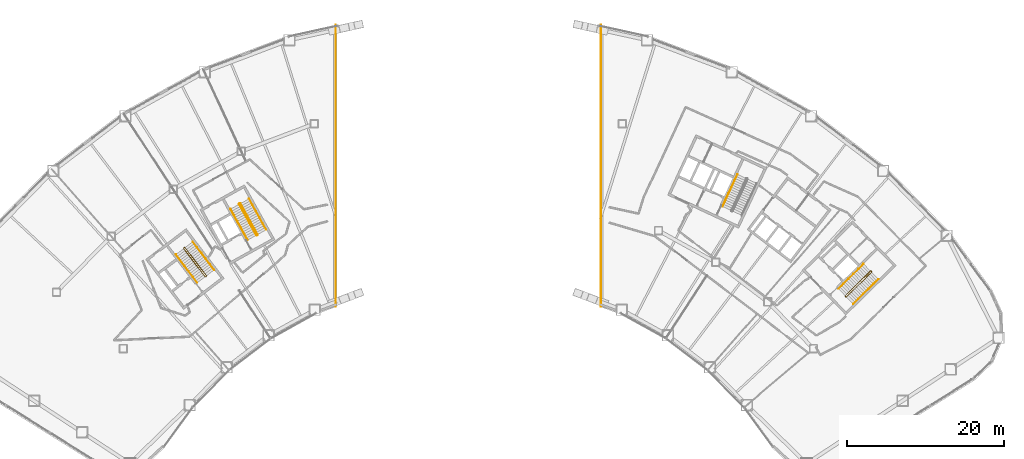
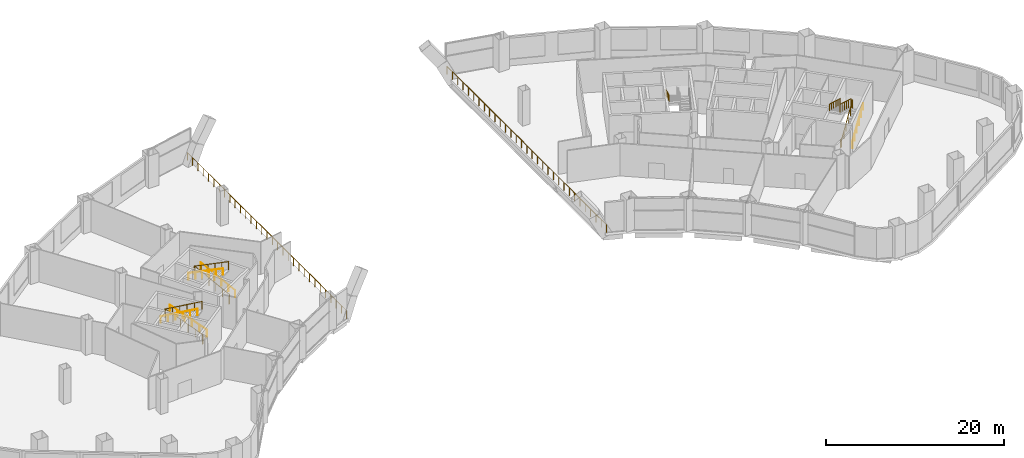
# One storey, part 19 of 20: 12 railings.
"""IFC4 building model written with IfcOpenShell, lengths in metres."""

from ifc_helpers import new_model, si_unit, direction, frame, origin, origin_2d, place, context, subcontext, project, spatial, circle, extrude, material, type_object, element, save


model = new_model("IFC4")

# Units and contexts
model_context = context("Model", 3, precision=1e-05, world=origin(), true_north=direction((0.0, 1.0)))
body_context = subcontext(model_context, "Body", "Model", "MODEL_VIEW")
ifc_project = project(units=[si_unit("LENGTHUNIT", "METRE"), si_unit("AREAUNIT", "SQUARE_METRE"), si_unit("VOLUMEUNIT", "CUBIC_METRE"), si_unit("PLANEANGLEUNIT", "RADIAN"), si_unit("MASSUNIT", "GRAM", prefix="KILO")], contexts=[model_context])

# Site, building, storey
site_placement = place(None, origin())
site = spatial("IfcSite", under=ifc_project, at=site_placement, CompositionType="ELEMENT")
building_placement = place(site_placement, origin())
building = spatial("IfcBuilding", under=site, at=building_placement, Name="Tuul Gate Civic Tower", CompositionType="ELEMENT")
storey_placement = place(building_placement, frame((0.0, 0.0, 12.300048828125)))
storey = spatial("IfcBuildingStorey", under=building, at=storey_placement, Name="Level 02", CompositionType="ELEMENT", Elevation=12.300048828125)

# Railings
ifc_material_1 = material(Name="Painted steel", Category="steel")
railing_type_1 = type_object("IfcRailingType", Name="Stair guard", PredefinedType="GUARDRAIL", material=ifc_material_1)
railing_1_placement = place(storey_placement, frame((-33.382080078125, -13.515380859375, 0.0)))
element("IfcRailing", 1, at=railing_1_placement, inside=storey, type_object=railing_type_1, Name="Level 02 ST-1 stair guard 1", PredefinedType="GUARDRAIL", context=body_context, shape_type="SweptSolid", body=[
    extrude(circle(Radius=0.02392578125, at=origin_2d()), frame((0.0, 0.0, 1.076171875), z_axis=(-0.795879841968, -0.605454603706, 0.0), x_axis=(0.605454603706, -0.795879841968, 0.0)), (0.0, 0.0, 1.0), 0.10009765625),
    extrude(circle(Radius=0.02392578125, at=origin_2d()), frame((-0.07958984375, -0.060546875, 1.076171875), z_axis=(0.408991890351, 0.599481263939, 0.688002796371), x_axis=(-0.826063974707, 0.563576356576, 0.0)), (0.0, 0.0, 1.0), 0.2177734375),
    extrude(circle(Radius=0.02392578125, at=origin_2d()), frame((0.009521484375, 0.070068359375, 1.22607421875), z_axis=(-0.541802573537, 0.711646640476, 0.44722369169), x_axis=(-0.795649622695, -0.605757111312, 0.0)), (0.0, 0.0, 1.0), 5.031005859375),
    extrude(circle(Radius=0.02392578125, at=origin_2d()), frame((-2.71630859375, 3.650390625, 3.47607421875), z_axis=(-0.990893089246, 0.134650977284, 0.0), x_axis=(-0.134650977284, -0.990893089246, 0.0)), (0.0, 0.0, 1.0), 0.07080078125),
    extrude(circle(Radius=0.02392578125, at=origin_2d()), frame((-2.786376953125, 3.659912109375, 3.47607421875), z_axis=(-0.795879841968, -0.605454603706, 0.0), x_axis=(0.605454603706, -0.795879841968, 0.0)), (0.0, 0.0, 1.0), 0.10009765625),
    extrude(circle(Radius=0.02392578125, at=origin_2d()), frame((-2.865966796875, 3.599365234375, 3.47607421875), z_axis=(-0.057370624079, -0.422188951554, 0.904690610473), x_axis=(0.990893089246, -0.134650977284, 0.0)), (0.0, 0.0, 1.0), 0.166015625),
    extrude(circle(Radius=0.02392578125, at=origin_2d()), frame((-2.87548828125, 3.529296875, 3.6259765625), z_axis=(0.541802573537, -0.711646640476, 0.44722369169), x_axis=(0.795649622695, 0.605757111312, 0.0)), (0.0, 0.0, 1.0), 5.031005859375),
    extrude(circle(Radius=0.02099609375, at=origin_2d()), origin(), (0.0, 0.0, 1.0), 1.052001953125),
    extrude(circle(Radius=0.02099609375, at=origin_2d()), frame((-0.07958984375, -0.060546875, 0.0)), (0.0, 0.0, 1.0), 1.052001953125),
    extrude(circle(Radius=0.02099609375, at=origin_2d()), frame((0.009521484375, 0.070068359375, 0.14990234375)), (0.0, 0.0, 1.0), 1.052001953125),
    extrude(circle(Radius=0.02099609375, at=origin_2d()), frame((-0.53564453125, 0.7861328125, 0.599853515625)), (0.0, 0.0, 1.0), 1.052001953125),
    extrude(circle(Radius=0.02099609375, at=origin_2d()), frame((-1.080810546875, 1.502197265625, 1.0498046875)), (0.0, 0.0, 1.0), 1.052001953125),
    extrude(circle(Radius=0.02099609375, at=origin_2d()), frame((-1.6259765625, 2.21826171875, 1.5)), (0.0, 0.0, 1.0), 1.052001953125),
    extrude(circle(Radius=0.02099609375, at=origin_2d()), frame((-2.171142578125, 2.934326171875, 1.949951171875)), (0.0, 0.0, 1.0), 1.052001953125),
    extrude(circle(Radius=0.02099609375, at=origin_2d()), frame((-2.71630859375, 3.650390625, 2.39990234375)), (0.0, 0.0, 1.0), 1.052001953125),
    extrude(circle(Radius=0.02099609375, at=origin_2d()), frame((-2.786376953125, 3.659912109375, 2.39990234375)), (0.0, 0.0, 1.0), 1.052001953125),
    extrude(circle(Radius=0.02099609375, at=origin_2d()), frame((-2.865966796875, 3.599365234375, 2.39990234375)), (0.0, 0.0, 1.0), 1.052001953125),
    extrude(circle(Radius=0.02099609375, at=origin_2d()), frame((-2.87548828125, 3.529296875, 2.550048828125)), (0.0, 0.0, 1.0), 1.052001953125),
    extrude(circle(Radius=0.02099609375, at=origin_2d()), frame((-2.330322265625, 2.813232421875, 3.0)), (0.0, 0.0, 1.0), 1.052001953125),
    extrude(circle(Radius=0.02099609375, at=origin_2d()), frame((-1.78515625, 2.09716796875, 3.449951171875)), (0.0, 0.0, 1.0), 1.052001953125),
    extrude(circle(Radius=0.02099609375, at=origin_2d()), frame((-1.239990234375, 1.381103515625, 3.900146484375)), (0.0, 0.0, 1.0), 1.052001953125),
    extrude(circle(Radius=0.02099609375, at=origin_2d()), frame((-0.69482421875, 0.6650390625, 4.35009765625)), (0.0, 0.0, 1.0), 1.052001953125),
    extrude(circle(Radius=0.02099609375, at=origin_2d()), frame((-0.149658203125, -0.051025390625, 4.800048828125)), (0.0, 0.0, 1.0), 1.052001953125),
])
railing_2_placement = place(storey_placement, frame((-26.857666015625, -8.247314453125, 0.0)))
element("IfcRailing", 2, at=railing_2_placement, inside=storey, type_object=railing_type_1, Name="Level 02 ST-2 stair guard 1", PredefinedType="GUARDRAIL", context=body_context, shape_type="SweptSolid", body=[
    extrude(circle(Radius=0.02392578125, at=origin_2d()), frame((0.0, 0.0, 1.076171875), z_axis=(-0.874616555828, -0.48481530532, 0.0), x_axis=(0.48481530532, -0.874616555828, 0.0)), (0.0, 0.0, 1.0), 0.10009765625),
    extrude(circle(Radius=0.02392578125, at=origin_2d()), frame((-0.087646484375, -0.048583984375, 1.076171875), z_axis=(0.49081399482, 0.534516610797, 0.688036056665), x_axis=(-0.736576986774, 0.676353711126, 0.0)), (0.0, 0.0, 1.0), 0.2177734375),
    extrude(circle(Radius=0.02392578125, at=origin_2d()), frame((0.019287109375, 0.06787109375, 1.22607421875), z_axis=(-0.433570456934, 0.782319295656, 0.447205968786), x_axis=(-0.874655833576, -0.484744440702, 0.0)), (0.0, 0.0, 1.0), 5.03125),
    extrude(circle(Radius=0.02392578125, at=origin_2d()), frame((-2.162109375, 4.00390625, 3.47607421875), z_axis=(-0.961914682459, 0.273349855807, 0.0), x_axis=(-0.273349855807, -0.961914682459, 0.0)), (0.0, 0.0, 1.0), 0.070556640625),
    extrude(circle(Radius=0.02392578125, at=origin_2d()), frame((-2.22998046875, 4.023193359375, 3.47607421875), z_axis=(-0.875078096442, -0.48398174049, 0.0), x_axis=(0.48398174049, -0.875078096442, 0.0)), (0.0, 0.0, 1.0), 0.099853515625),
    extrude(circle(Radius=0.02392578125, at=origin_2d()), frame((-2.3173828125, 3.974853515625, 3.47607421875), z_axis=(-0.11763866363, -0.41026483941, 0.904347226657), x_axis=(0.961263487578, -0.275631107549, 0.0)), (0.0, 0.0, 1.0), 0.166015625),
    extrude(circle(Radius=0.02392578125, at=origin_2d()), frame((-2.3369140625, 3.90673828125, 3.6259765625), z_axis=(0.433586916566, -0.782300468042, 0.447222946062), x_axis=(0.874643084613, 0.48476744377, 0.0)), (0.0, 0.0, 1.0), 5.031005859375),
    extrude(circle(Radius=0.02099609375, at=origin_2d()), origin(), (0.0, 0.0, 1.0), 1.052001953125),
    extrude(circle(Radius=0.02099609375, at=origin_2d()), frame((-0.087646484375, -0.048583984375, 0.0)), (0.0, 0.0, 1.0), 1.052001953125),
    extrude(circle(Radius=0.02099609375, at=origin_2d()), frame((0.019287109375, 0.06787109375, 0.14990234375)), (0.0, 0.0, 1.0), 1.052001953125),
    extrude(circle(Radius=0.02099609375, at=origin_2d()), frame((-0.4169921875, 0.85498046875, 0.599853515625)), (0.0, 0.0, 1.0), 1.052001953125),
    extrude(circle(Radius=0.02099609375, at=origin_2d()), frame((-0.853271484375, 1.642333984375, 1.0498046875)), (0.0, 0.0, 1.0), 1.052001953125),
    extrude(circle(Radius=0.02099609375, at=origin_2d()), frame((-1.28955078125, 2.429443359375, 1.5)), (0.0, 0.0, 1.0), 1.052001953125),
    extrude(circle(Radius=0.02099609375, at=origin_2d()), frame((-1.725830078125, 3.216796875, 1.949951171875)), (0.0, 0.0, 1.0), 1.052001953125),
    extrude(circle(Radius=0.02099609375, at=origin_2d()), frame((-2.162109375, 4.00390625, 2.39990234375)), (0.0, 0.0, 1.0), 1.052001953125),
    extrude(circle(Radius=0.02099609375, at=origin_2d()), frame((-2.22998046875, 4.023193359375, 2.39990234375)), (0.0, 0.0, 1.0), 1.052001953125),
    extrude(circle(Radius=0.02099609375, at=origin_2d()), frame((-2.3173828125, 3.974853515625, 2.39990234375)), (0.0, 0.0, 1.0), 1.052001953125),
    extrude(circle(Radius=0.02099609375, at=origin_2d()), frame((-2.3369140625, 3.90673828125, 2.550048828125)), (0.0, 0.0, 1.0), 1.052001953125),
    extrude(circle(Radius=0.02099609375, at=origin_2d()), frame((-1.900634765625, 3.11962890625, 3.0)), (0.0, 0.0, 1.0), 1.052001953125),
    extrude(circle(Radius=0.02099609375, at=origin_2d()), frame((-1.46435546875, 2.33251953125, 3.449951171875)), (0.0, 0.0, 1.0), 1.052001953125),
    extrude(circle(Radius=0.02099609375, at=origin_2d()), frame((-1.028076171875, 1.545166015625, 3.900146484375)), (0.0, 0.0, 1.0), 1.052001953125),
    extrude(circle(Radius=0.02099609375, at=origin_2d()), frame((-0.591796875, 0.758056640625, 4.35009765625)), (0.0, 0.0, 1.0), 1.052001953125),
    extrude(circle(Radius=0.02099609375, at=origin_2d()), frame((-0.155517578125, -0.029052734375, 4.800048828125)), (0.0, 0.0, 1.0), 1.052001953125),
])
railing_3_placement = place(storey_placement, frame((48.10546875, -16.134765625, 0.0)))
element("IfcRailing", 3, at=railing_3_placement, inside=storey, type_object=railing_type_1, Name="Level 02 ST-3 stair guard 1", PredefinedType="GUARDRAIL", context=body_context, shape_type="SweptSolid", body=[
    extrude(circle(Radius=0.02392578125, at=origin_2d()), frame((0.0, 0.0, 1.076171875), z_axis=(-0.698506948293, 0.715603272202, 0.0), x_axis=(-0.715603272202, -0.698506948293, 0.0)), (0.0, 0.0, 1.0), 0.099853515625),
    extrude(circle(Radius=0.02392578125, at=origin_2d()), frame((-0.06982421875, 0.071533203125, 1.076171875), z_axis=(0.645446321009, -0.331687692741, 0.688027849131), x_axis=(0.457068866502, 0.889431307788, 0.0)), (0.0, 0.0, 1.0), 0.2177734375),
    extrude(circle(Radius=0.02392578125, at=origin_2d()), frame((0.07080078125, -0.000732421875, 1.22607421875), z_axis=(0.638734809626, 0.626118304991, 0.447206564272), x_axis=(-0.700018794508, 0.714124420066, 0.0)), (0.0, 0.0, 1.0), 5.03125),
    extrude(circle(Radius=0.02392578125, at=origin_2d()), frame((3.284423828125, 3.1494140625, 3.47607421875), z_axis=(0.010344274102, 0.999946496565, 0.0), x_axis=(-0.999946496565, 0.010344274102, 0.0)), (0.0, 0.0, 1.0), 0.07080078125),
    extrude(circle(Radius=0.02392578125, at=origin_2d()), frame((3.28515625, 3.22021484375, 3.47607421875), z_axis=(-0.700974368541, 0.713186465554, 0.0), x_axis=(-0.713186465554, -0.700974368541, 0.0)), (0.0, 0.0, 1.0), 0.099853515625),
    extrude(circle(Radius=0.02392578125, at=origin_2d()), frame((3.215087890625, 3.29150390625, 3.47607421875), z_axis=(-0.426501027327, 0.004412079593, 0.904476316574), x_axis=(-0.010344274102, -0.999946496565, 0.0)), (0.0, 0.0, 1.0), 0.166015625),
    extrude(circle(Radius=0.02392578125, at=origin_2d()), frame((3.144287109375, 3.292236328125, 3.6259765625), z_axis=(-0.638734809626, -0.626118304991, 0.447206564272), x_axis=(0.700018794508, -0.714124420066, 0.0)), (0.0, 0.0, 1.0), 5.03125),
    extrude(circle(Radius=0.02099609375, at=origin_2d()), origin(), (0.0, 0.0, 1.0), 1.052001953125),
    extrude(circle(Radius=0.02099609375, at=origin_2d()), frame((-0.06982421875, 0.071533203125, 0.0)), (0.0, 0.0, 1.0), 1.052001953125),
    extrude(circle(Radius=0.02099609375, at=origin_2d()), frame((0.07080078125, -0.000732421875, 0.14990234375)), (0.0, 0.0, 1.0), 1.052001953125),
    extrude(circle(Radius=0.02099609375, at=origin_2d()), frame((0.713623046875, 0.62939453125, 0.599853515625)), (0.0, 0.0, 1.0), 1.052001953125),
    extrude(circle(Radius=0.02099609375, at=origin_2d()), frame((1.356201171875, 1.25927734375, 1.0498046875)), (0.0, 0.0, 1.0), 1.052001953125),
    extrude(circle(Radius=0.02099609375, at=origin_2d()), frame((1.9990234375, 1.889404296875, 1.5)), (0.0, 0.0, 1.0), 1.052001953125),
    extrude(circle(Radius=0.02099609375, at=origin_2d()), frame((2.6416015625, 2.519287109375, 1.949951171875)), (0.0, 0.0, 1.0), 1.052001953125),
    extrude(circle(Radius=0.02099609375, at=origin_2d()), frame((3.284423828125, 3.1494140625, 2.39990234375)), (0.0, 0.0, 1.0), 1.052001953125),
    extrude(circle(Radius=0.02099609375, at=origin_2d()), frame((3.28515625, 3.22021484375, 2.39990234375)), (0.0, 0.0, 1.0), 1.052001953125),
    extrude(circle(Radius=0.02099609375, at=origin_2d()), frame((3.215087890625, 3.29150390625, 2.39990234375)), (0.0, 0.0, 1.0), 1.052001953125),
    extrude(circle(Radius=0.02099609375, at=origin_2d()), frame((3.144287109375, 3.292236328125, 2.550048828125)), (0.0, 0.0, 1.0), 1.052001953125),
    extrude(circle(Radius=0.02099609375, at=origin_2d()), frame((2.50146484375, 2.662109375, 3.0)), (0.0, 0.0, 1.0), 1.052001953125),
    extrude(circle(Radius=0.02099609375, at=origin_2d()), frame((1.85888671875, 2.0322265625, 3.449951171875)), (0.0, 0.0, 1.0), 1.052001953125),
    extrude(circle(Radius=0.02099609375, at=origin_2d()), frame((1.216064453125, 1.402099609375, 3.900146484375)), (0.0, 0.0, 1.0), 1.052001953125),
    extrude(circle(Radius=0.02099609375, at=origin_2d()), frame((0.573486328125, 0.772216796875, 4.35009765625)), (0.0, 0.0, 1.0), 1.052001953125),
    extrude(circle(Radius=0.02099609375, at=origin_2d()), frame((-0.0693359375, 0.14208984375, 4.800048828125)), (0.0, 0.0, 1.0), 1.052001953125),
])
ifc_material_2 = material(Name="Painted steel", Category="steel")
railing_type_2 = type_object("IfcRailingType", Name="Stair handrail", PredefinedType="HANDRAIL", material=ifc_material_2)
railing_4_placement = place(storey_placement, frame((-32.3779296875, -12.688232421875, 0.14990234375)))
element("IfcRailing", 4, at=railing_4_placement, inside=storey, type_object=railing_type_2, Name="Level 02 ST-1 stair handrail 1", PredefinedType="HANDRAIL", context=body_context, shape_type="SweptSolid", body=[
    extrude(circle(Radius=0.02392578125, at=origin_2d()), frame((0.0, 0.0, 0.8759765625), z_axis=(-0.541818143522, 0.711651880073, 0.447196490301), x_axis=(-0.795643382243, -0.605765307931, 0.0)), (0.0, 0.0, 1.0), 5.03125),
    extrude(circle(Radius=0.02099609375, at=origin_2d()), origin(), (0.0, 0.0, 1.0), 0.851806640625),
    extrude(circle(Radius=0.02099609375, at=origin_2d()), frame((-0.545166015625, 0.716064453125, 0.449951171875)), (0.0, 0.0, 1.0), 0.851806640625),
    extrude(circle(Radius=0.02099609375, at=origin_2d()), frame((-1.09033203125, 1.43212890625, 0.89990234375)), (0.0, 0.0, 1.0), 0.851806640625),
    extrude(circle(Radius=0.02099609375, at=origin_2d()), frame((-1.6357421875, 2.1484375, 1.35009765625)), (0.0, 0.0, 1.0), 0.851806640625),
    extrude(circle(Radius=0.02099609375, at=origin_2d()), frame((-2.180908203125, 2.864501953125, 1.800048828125)), (0.0, 0.0, 1.0), 0.851806640625),
    extrude(circle(Radius=0.02099609375, at=origin_2d()), frame((-2.72607421875, 3.58056640625, 2.25)), (0.0, 0.0, 1.0), 0.851806640625),
])
railing_5_placement = place(storey_placement, frame((-37.252197265625, -10.743408203125, 2.550048828125)))
element("IfcRailing", 5, at=railing_5_placement, inside=storey, type_object=railing_type_2, Name="Level 02 ST-1 stair handrail 2", PredefinedType="HANDRAIL", context=body_context, shape_type="SweptSolid", body=[
    extrude(circle(Radius=0.02392578125, at=origin_2d()), frame((0.0, 0.0, 0.8759765625), z_axis=(0.541836853995, -0.711627929772, 0.447211933227), x_axis=(0.795623473507, 0.6057914562, 0.0)), (0.0, 0.0, 1.0), 5.03125),
    extrude(circle(Radius=0.02099609375, at=origin_2d()), origin(), (0.0, 0.0, 1.0), 0.851806640625),
    extrude(circle(Radius=0.02099609375, at=origin_2d()), frame((0.545166015625, -0.716064453125, 0.449951171875)), (0.0, 0.0, 1.0), 0.851806640625),
    extrude(circle(Radius=0.02099609375, at=origin_2d()), frame((1.09033203125, -1.43212890625, 0.89990234375)), (0.0, 0.0, 1.0), 0.851806640625),
    extrude(circle(Radius=0.02099609375, at=origin_2d()), frame((1.6357421875, -2.148193359375, 1.35009765625)), (0.0, 0.0, 1.0), 0.851806640625),
    extrude(circle(Radius=0.02099609375, at=origin_2d()), frame((2.180908203125, -2.8642578125, 1.800048828125)), (0.0, 0.0, 1.0), 0.851806640625),
    extrude(circle(Radius=0.02099609375, at=origin_2d()), frame((2.72607421875, -3.580322265625, 2.25)), (0.0, 0.0, 1.0), 0.851806640625),
])
railing_6_placement = place(storey_placement, frame((-25.744873046875, -7.573486328125, 0.14990234375)))
element("IfcRailing", 6, at=railing_6_placement, inside=storey, type_object=railing_type_2, Name="Level 02 ST-2 stair handrail 1", PredefinedType="HANDRAIL", context=body_context, shape_type="SweptSolid", body=[
    extrude(circle(Radius=0.02392578125, at=origin_2d()), frame((0.0, 0.0, 0.8759765625), z_axis=(-0.433570456934, 0.782319295656, 0.447205968786), x_axis=(-0.874655833576, -0.484744440702, 0.0)), (0.0, 0.0, 1.0), 5.03125),
    extrude(circle(Radius=0.02099609375, at=origin_2d()), origin(), (0.0, 0.0, 1.0), 0.851806640625),
    extrude(circle(Radius=0.02099609375, at=origin_2d()), frame((-0.436279296875, 0.787109375, 0.449951171875)), (0.0, 0.0, 1.0), 0.851806640625),
    extrude(circle(Radius=0.02099609375, at=origin_2d()), frame((-0.87255859375, 1.574462890625, 0.89990234375)), (0.0, 0.0, 1.0), 0.851806640625),
    extrude(circle(Radius=0.02099609375, at=origin_2d()), frame((-1.308837890625, 2.361572265625, 1.35009765625)), (0.0, 0.0, 1.0), 0.851806640625),
    extrude(circle(Radius=0.02099609375, at=origin_2d()), frame((-1.7451171875, 3.14892578125, 1.800048828125)), (0.0, 0.0, 1.0), 0.851806640625),
    extrude(circle(Radius=0.02099609375, at=origin_2d()), frame((-2.181396484375, 3.93603515625, 2.25)), (0.0, 0.0, 1.0), 0.851806640625),
])
railing_7_placement = place(storey_placement, frame((-30.287841796875, -4.946533203125, 2.550048828125)))
element("IfcRailing", 7, at=railing_7_placement, inside=storey, type_object=railing_type_2, Name="Level 02 ST-2 stair handrail 2", PredefinedType="HANDRAIL", context=body_context, shape_type="SweptSolid", body=[
    extrude(circle(Radius=0.02392578125, at=origin_2d()), frame((0.0, 0.0, 0.8759765625), z_axis=(0.433586916566, -0.782300468042, 0.447222946062), x_axis=(0.874643084613, 0.48476744377, 0.0)), (0.0, 0.0, 1.0), 5.031005859375),
    extrude(circle(Radius=0.02099609375, at=origin_2d()), origin(), (0.0, 0.0, 1.0), 0.851806640625),
    extrude(circle(Radius=0.02099609375, at=origin_2d()), frame((0.436279296875, -0.787109375, 0.449951171875)), (0.0, 0.0, 1.0), 0.851806640625),
    extrude(circle(Radius=0.02099609375, at=origin_2d()), frame((0.87255859375, -1.57421875, 0.89990234375)), (0.0, 0.0, 1.0), 0.851806640625),
    extrude(circle(Radius=0.02099609375, at=origin_2d()), frame((1.308837890625, -2.361572265625, 1.35009765625)), (0.0, 0.0, 1.0), 0.851806640625),
    extrude(circle(Radius=0.02099609375, at=origin_2d()), frame((1.7451171875, -3.148681640625, 1.800048828125)), (0.0, 0.0, 1.0), 0.851806640625),
    extrude(circle(Radius=0.02099609375, at=origin_2d()), frame((2.181396484375, -3.935791015625, 2.25)), (0.0, 0.0, 1.0), 0.851806640625),
])
railing_8_placement = place(storey_placement, frame((49.05126953125, -17.028076171875, 0.14990234375)))
element("IfcRailing", 8, at=railing_8_placement, inside=storey, type_object=railing_type_2, Name="Level 02 ST-3 stair handrail 1", PredefinedType="HANDRAIL", context=body_context, shape_type="SweptSolid", body=[
    extrude(circle(Radius=0.02392578125, at=origin_2d()), frame((0.0, 0.0, 0.8759765625), z_axis=(0.638734809626, 0.626118304991, 0.447206564272), x_axis=(-0.700018794508, 0.714124420066, 0.0)), (0.0, 0.0, 1.0), 5.03125),
    extrude(circle(Radius=0.02099609375, at=origin_2d()), origin(), (0.0, 0.0, 1.0), 0.851806640625),
    extrude(circle(Radius=0.02099609375, at=origin_2d()), frame((0.642822265625, 0.630126953125, 0.449951171875)), (0.0, 0.0, 1.0), 0.851806640625),
    extrude(circle(Radius=0.02099609375, at=origin_2d()), frame((1.285400390625, 1.260009765625, 0.89990234375)), (0.0, 0.0, 1.0), 0.851806640625),
    extrude(circle(Radius=0.02099609375, at=origin_2d()), frame((1.92822265625, 1.89013671875, 1.35009765625)), (0.0, 0.0, 1.0), 0.851806640625),
    extrude(circle(Radius=0.02099609375, at=origin_2d()), frame((2.57080078125, 2.52001953125, 1.800048828125)), (0.0, 0.0, 1.0), 0.851806640625),
    extrude(circle(Radius=0.02099609375, at=origin_2d()), frame((3.213623046875, 3.150146484375, 2.25)), (0.0, 0.0, 1.0), 0.851806640625),
])
railing_9_placement = place(storey_placement, frame((50.374755859375, -11.949951171875, 2.550048828125)))
element("IfcRailing", 9, at=railing_9_placement, inside=storey, type_object=railing_type_2, Name="Level 02 ST-3 stair handrail 2", PredefinedType="HANDRAIL", context=body_context, shape_type="SweptSolid", body=[
    extrude(circle(Radius=0.02392578125, at=origin_2d()), frame((0.0, 0.0, 0.8759765625), z_axis=(-0.638754216056, -0.626088801607, 0.447220151574), x_axis=(0.699991125633, -0.714151541366, 0.0)), (0.0, 0.0, 1.0), 5.031005859375),
    extrude(circle(Radius=0.02099609375, at=origin_2d()), origin(), (0.0, 0.0, 1.0), 0.851806640625),
    extrude(circle(Radius=0.02099609375, at=origin_2d()), frame((-0.642822265625, -0.6298828125, 0.449951171875)), (0.0, 0.0, 1.0), 0.851806640625),
    extrude(circle(Radius=0.02099609375, at=origin_2d()), frame((-1.285400390625, -1.260009765625, 0.89990234375)), (0.0, 0.0, 1.0), 0.851806640625),
    extrude(circle(Radius=0.02099609375, at=origin_2d()), frame((-1.92822265625, -1.889892578125, 1.35009765625)), (0.0, 0.0, 1.0), 0.851806640625),
    extrude(circle(Radius=0.02099609375, at=origin_2d()), frame((-2.57080078125, -2.52001953125, 1.800048828125)), (0.0, 0.0, 1.0), 0.851806640625),
    extrude(circle(Radius=0.02099609375, at=origin_2d()), frame((-3.213623046875, -3.14990234375, 2.25)), (0.0, 0.0, 1.0), 0.851806640625),
])
railing_10_placement = place(storey_placement, frame((34.299560546875, -0.523193359375, 2.550048828125)))
element("IfcRailing", 10, at=railing_10_placement, inside=storey, type_object=railing_type_2, Name="Level 02 ST-4 stair handrail 2", PredefinedType="HANDRAIL", context=body_context, shape_type="SweptSolid", body=[
    extrude(circle(Radius=0.02392578125, at=origin_2d()), frame((0.0, 0.0, 0.8759765625), z_axis=(-0.377973126322, -0.810635649661, 0.447220481728), x_axis=(0.906321697749, -0.42258842884, 0.0)), (0.0, 0.0, 1.0), 5.031005859375),
    extrude(circle(Radius=0.02099609375, at=origin_2d()), origin(), (0.0, 0.0, 1.0), 0.851806640625),
    extrude(circle(Radius=0.02099609375, at=origin_2d()), frame((-0.38037109375, -0.815673828125, 0.449951171875)), (0.0, 0.0, 1.0), 0.851806640625),
    extrude(circle(Radius=0.02099609375, at=origin_2d()), frame((-0.7607421875, -1.63134765625, 0.89990234375)), (0.0, 0.0, 1.0), 0.851806640625),
    extrude(circle(Radius=0.02099609375, at=origin_2d()), frame((-1.140869140625, -2.447021484375, 1.35009765625)), (0.0, 0.0, 1.0), 0.851806640625),
    extrude(circle(Radius=0.02099609375, at=origin_2d()), frame((-1.521240234375, -3.2626953125, 1.800048828125)), (0.0, 0.0, 1.0), 0.851806640625),
    extrude(circle(Radius=0.02099609375, at=origin_2d()), frame((-1.901611328125, -4.078369140625, 2.25)), (0.0, 0.0, 1.0), 0.851806640625),
])
ifc_material_3 = material(Name="Stainless steel", Category="steel")
railing_type_3 = type_object("IfcRailingType", Name="Terrace guard", PredefinedType="GUARDRAIL", material=ifc_material_3)
railing_11_placement = place(storey_placement, frame((-16.887939453125, -17.35791015625, 0.0)))
element("IfcRailing", 11, at=railing_11_placement, inside=storey, type_object=railing_type_3, Name="Guard", PredefinedType="GUARDRAIL", context=body_context, shape_type="SweptSolid", body=[
    extrude(circle(Radius=0.02392578125, at=origin_2d()), frame((0.0, 0.0, 1.076171875), z_axis=(0.0, 1.0, 0.0), x_axis=(-1.0, 0.0, 0.0)), (0.0, 0.0, 1.0), 35.90087890625),
    extrude(circle(Radius=0.02099609375, at=origin_2d()), origin(), (0.0, 0.0, 1.0), 1.052001953125),
    extrude(circle(Radius=0.02099609375, at=origin_2d()), frame((0.0, 1.19677734375, 0.0)), (0.0, 0.0, 1.0), 1.052001953125),
    extrude(circle(Radius=0.02099609375, at=origin_2d()), frame((0.0, 2.393310546875, 0.0)), (0.0, 0.0, 1.0), 1.052001953125),
    extrude(circle(Radius=0.02099609375, at=origin_2d()), frame((0.0, 3.590087890625, 0.0)), (0.0, 0.0, 1.0), 1.052001953125),
    extrude(circle(Radius=0.02099609375, at=origin_2d()), frame((0.0, 4.786865234375, 0.0)), (0.0, 0.0, 1.0), 1.052001953125),
    extrude(circle(Radius=0.02099609375, at=origin_2d()), frame((0.0, 5.9833984375, 0.0)), (0.0, 0.0, 1.0), 1.052001953125),
    extrude(circle(Radius=0.02099609375, at=origin_2d()), frame((0.0, 7.18017578125, 0.0)), (0.0, 0.0, 1.0), 1.052001953125),
    extrude(circle(Radius=0.02099609375, at=origin_2d()), frame((0.0, 8.376953125, 0.0)), (0.0, 0.0, 1.0), 1.052001953125),
    extrude(circle(Radius=0.02099609375, at=origin_2d()), frame((0.0, 9.573486328125, 0.0)), (0.0, 0.0, 1.0), 1.052001953125),
    extrude(circle(Radius=0.02099609375, at=origin_2d()), frame((0.0, 10.770263671875, 0.0)), (0.0, 0.0, 1.0), 1.052001953125),
    extrude(circle(Radius=0.02099609375, at=origin_2d()), frame((0.0, 11.967041015625, 0.0)), (0.0, 0.0, 1.0), 1.052001953125),
    extrude(circle(Radius=0.02099609375, at=origin_2d()), frame((0.0, 13.16357421875, 0.0)), (0.0, 0.0, 1.0), 1.052001953125),
    extrude(circle(Radius=0.02099609375, at=origin_2d()), frame((0.0, 14.3603515625, 0.0)), (0.0, 0.0, 1.0), 1.052001953125),
    extrude(circle(Radius=0.02099609375, at=origin_2d()), frame((0.0, 15.55712890625, 0.0)), (0.0, 0.0, 1.0), 1.052001953125),
    extrude(circle(Radius=0.02099609375, at=origin_2d()), frame((0.0, 16.753662109375, 0.0)), (0.0, 0.0, 1.0), 1.052001953125),
    extrude(circle(Radius=0.02099609375, at=origin_2d()), frame((0.0, 17.950439453125, 0.0)), (0.0, 0.0, 1.0), 1.052001953125),
    extrude(circle(Radius=0.02099609375, at=origin_2d()), frame((0.0, 19.147216796875, 0.0)), (0.0, 0.0, 1.0), 1.052001953125),
    extrude(circle(Radius=0.02099609375, at=origin_2d()), frame((0.0, 20.34375, 0.0)), (0.0, 0.0, 1.0), 1.052001953125),
    extrude(circle(Radius=0.02099609375, at=origin_2d()), frame((0.0, 21.54052734375, 0.0)), (0.0, 0.0, 1.0), 1.052001953125),
    extrude(circle(Radius=0.02099609375, at=origin_2d()), frame((0.0, 22.7373046875, 0.0)), (0.0, 0.0, 1.0), 1.052001953125),
    extrude(circle(Radius=0.02099609375, at=origin_2d()), frame((0.0, 23.933837890625, 0.0)), (0.0, 0.0, 1.0), 1.052001953125),
    extrude(circle(Radius=0.02099609375, at=origin_2d()), frame((0.0, 25.130615234375, 0.0)), (0.0, 0.0, 1.0), 1.052001953125),
    extrude(circle(Radius=0.02099609375, at=origin_2d()), frame((0.0, 26.327392578125, 0.0)), (0.0, 0.0, 1.0), 1.052001953125),
    extrude(circle(Radius=0.02099609375, at=origin_2d()), frame((0.0, 27.52392578125, 0.0)), (0.0, 0.0, 1.0), 1.052001953125),
    extrude(circle(Radius=0.02099609375, at=origin_2d()), frame((0.0, 28.720703125, 0.0)), (0.0, 0.0, 1.0), 1.052001953125),
    extrude(circle(Radius=0.02099609375, at=origin_2d()), frame((0.0, 29.91748046875, 0.0)), (0.0, 0.0, 1.0), 1.052001953125),
    extrude(circle(Radius=0.02099609375, at=origin_2d()), frame((0.0, 31.114013671875, 0.0)), (0.0, 0.0, 1.0), 1.052001953125),
    extrude(circle(Radius=0.02099609375, at=origin_2d()), frame((0.0, 32.310791015625, 0.0)), (0.0, 0.0, 1.0), 1.052001953125),
    extrude(circle(Radius=0.02099609375, at=origin_2d()), frame((0.0, 33.507568359375, 0.0)), (0.0, 0.0, 1.0), 1.052001953125),
    extrude(circle(Radius=0.02099609375, at=origin_2d()), frame((0.0, 34.7041015625, 0.0)), (0.0, 0.0, 1.0), 1.052001953125),
    extrude(circle(Radius=0.02099609375, at=origin_2d()), frame((0.0, 35.90087890625, 0.0)), (0.0, 0.0, 1.0), 1.052001953125),
])
railing_12_placement = place(storey_placement, frame((16.887939453125, -17.35791015625, 0.0)))
element("IfcRailing", 12, at=railing_12_placement, inside=storey, type_object=railing_type_3, Name="Guard", PredefinedType="GUARDRAIL", context=body_context, shape_type="SweptSolid", body=[
    extrude(circle(Radius=0.02392578125, at=origin_2d()), frame((0.0, 0.0, 1.076171875), z_axis=(0.0, 1.0, 0.0), x_axis=(-1.0, 0.0, 0.0)), (0.0, 0.0, 1.0), 35.90087890625),
    extrude(circle(Radius=0.02099609375, at=origin_2d()), origin(), (0.0, 0.0, 1.0), 1.052001953125),
    extrude(circle(Radius=0.02099609375, at=origin_2d()), frame((0.0, 1.19677734375, 0.0)), (0.0, 0.0, 1.0), 1.052001953125),
    extrude(circle(Radius=0.02099609375, at=origin_2d()), frame((0.0, 2.393310546875, 0.0)), (0.0, 0.0, 1.0), 1.052001953125),
    extrude(circle(Radius=0.02099609375, at=origin_2d()), frame((0.0, 3.590087890625, 0.0)), (0.0, 0.0, 1.0), 1.052001953125),
    extrude(circle(Radius=0.02099609375, at=origin_2d()), frame((0.0, 4.786865234375, 0.0)), (0.0, 0.0, 1.0), 1.052001953125),
    extrude(circle(Radius=0.02099609375, at=origin_2d()), frame((0.0, 5.9833984375, 0.0)), (0.0, 0.0, 1.0), 1.052001953125),
    extrude(circle(Radius=0.02099609375, at=origin_2d()), frame((0.0, 7.18017578125, 0.0)), (0.0, 0.0, 1.0), 1.052001953125),
    extrude(circle(Radius=0.02099609375, at=origin_2d()), frame((0.0, 8.376953125, 0.0)), (0.0, 0.0, 1.0), 1.052001953125),
    extrude(circle(Radius=0.02099609375, at=origin_2d()), frame((0.0, 9.573486328125, 0.0)), (0.0, 0.0, 1.0), 1.052001953125),
    extrude(circle(Radius=0.02099609375, at=origin_2d()), frame((0.0, 10.770263671875, 0.0)), (0.0, 0.0, 1.0), 1.052001953125),
    extrude(circle(Radius=0.02099609375, at=origin_2d()), frame((0.0, 11.967041015625, 0.0)), (0.0, 0.0, 1.0), 1.052001953125),
    extrude(circle(Radius=0.02099609375, at=origin_2d()), frame((0.0, 13.16357421875, 0.0)), (0.0, 0.0, 1.0), 1.052001953125),
    extrude(circle(Radius=0.02099609375, at=origin_2d()), frame((0.0, 14.3603515625, 0.0)), (0.0, 0.0, 1.0), 1.052001953125),
    extrude(circle(Radius=0.02099609375, at=origin_2d()), frame((0.0, 15.55712890625, 0.0)), (0.0, 0.0, 1.0), 1.052001953125),
    extrude(circle(Radius=0.02099609375, at=origin_2d()), frame((0.0, 16.753662109375, 0.0)), (0.0, 0.0, 1.0), 1.052001953125),
    extrude(circle(Radius=0.02099609375, at=origin_2d()), frame((0.0, 17.950439453125, 0.0)), (0.0, 0.0, 1.0), 1.052001953125),
    extrude(circle(Radius=0.02099609375, at=origin_2d()), frame((0.0, 19.147216796875, 0.0)), (0.0, 0.0, 1.0), 1.052001953125),
    extrude(circle(Radius=0.02099609375, at=origin_2d()), frame((0.0, 20.34375, 0.0)), (0.0, 0.0, 1.0), 1.052001953125),
    extrude(circle(Radius=0.02099609375, at=origin_2d()), frame((0.0, 21.54052734375, 0.0)), (0.0, 0.0, 1.0), 1.052001953125),
    extrude(circle(Radius=0.02099609375, at=origin_2d()), frame((0.0, 22.7373046875, 0.0)), (0.0, 0.0, 1.0), 1.052001953125),
    extrude(circle(Radius=0.02099609375, at=origin_2d()), frame((0.0, 23.933837890625, 0.0)), (0.0, 0.0, 1.0), 1.052001953125),
    extrude(circle(Radius=0.02099609375, at=origin_2d()), frame((0.0, 25.130615234375, 0.0)), (0.0, 0.0, 1.0), 1.052001953125),
    extrude(circle(Radius=0.02099609375, at=origin_2d()), frame((0.0, 26.327392578125, 0.0)), (0.0, 0.0, 1.0), 1.052001953125),
    extrude(circle(Radius=0.02099609375, at=origin_2d()), frame((0.0, 27.52392578125, 0.0)), (0.0, 0.0, 1.0), 1.052001953125),
    extrude(circle(Radius=0.02099609375, at=origin_2d()), frame((0.0, 28.720703125, 0.0)), (0.0, 0.0, 1.0), 1.052001953125),
    extrude(circle(Radius=0.02099609375, at=origin_2d()), frame((0.0, 29.91748046875, 0.0)), (0.0, 0.0, 1.0), 1.052001953125),
    extrude(circle(Radius=0.02099609375, at=origin_2d()), frame((0.0, 31.114013671875, 0.0)), (0.0, 0.0, 1.0), 1.052001953125),
    extrude(circle(Radius=0.02099609375, at=origin_2d()), frame((0.0, 32.310791015625, 0.0)), (0.0, 0.0, 1.0), 1.052001953125),
    extrude(circle(Radius=0.02099609375, at=origin_2d()), frame((0.0, 33.507568359375, 0.0)), (0.0, 0.0, 1.0), 1.052001953125),
    extrude(circle(Radius=0.02099609375, at=origin_2d()), frame((0.0, 34.7041015625, 0.0)), (0.0, 0.0, 1.0), 1.052001953125),
    extrude(circle(Radius=0.02099609375, at=origin_2d()), frame((0.0, 35.90087890625, 0.0)), (0.0, 0.0, 1.0), 1.052001953125),
])

save(model, "model.ifc")
